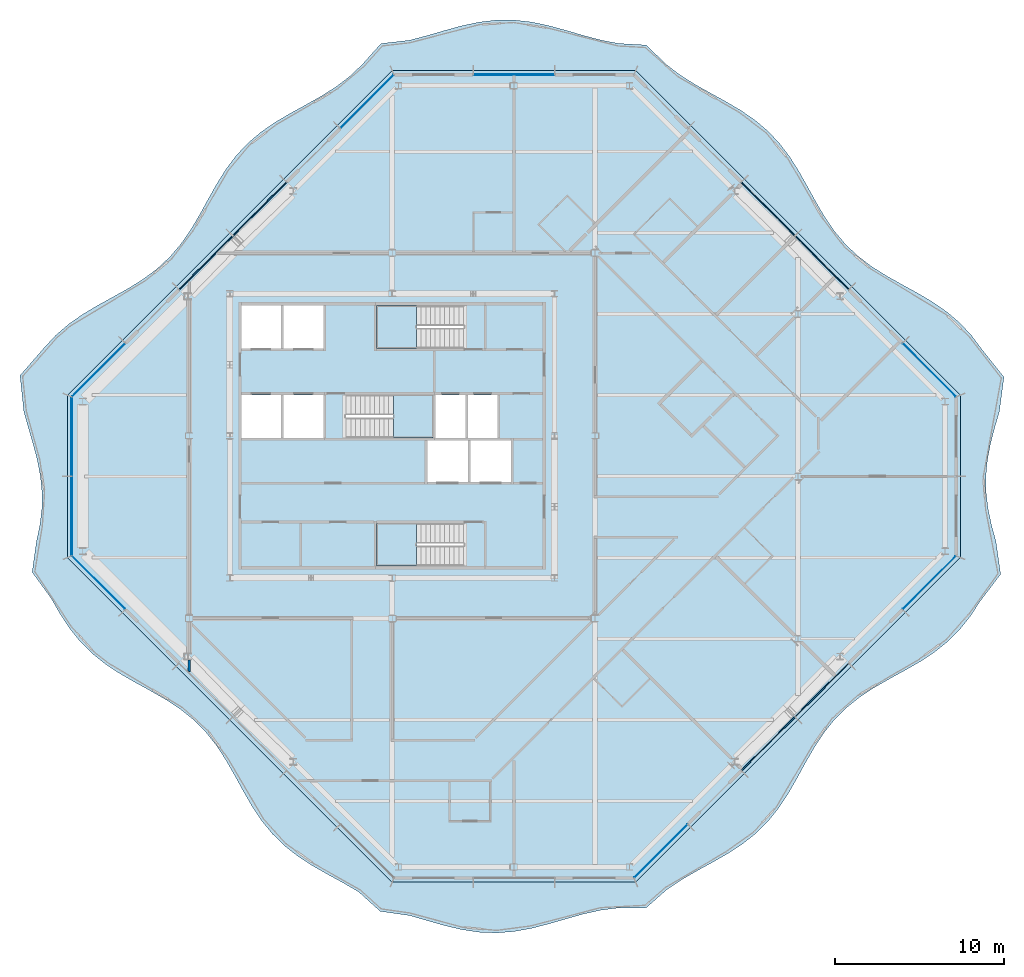
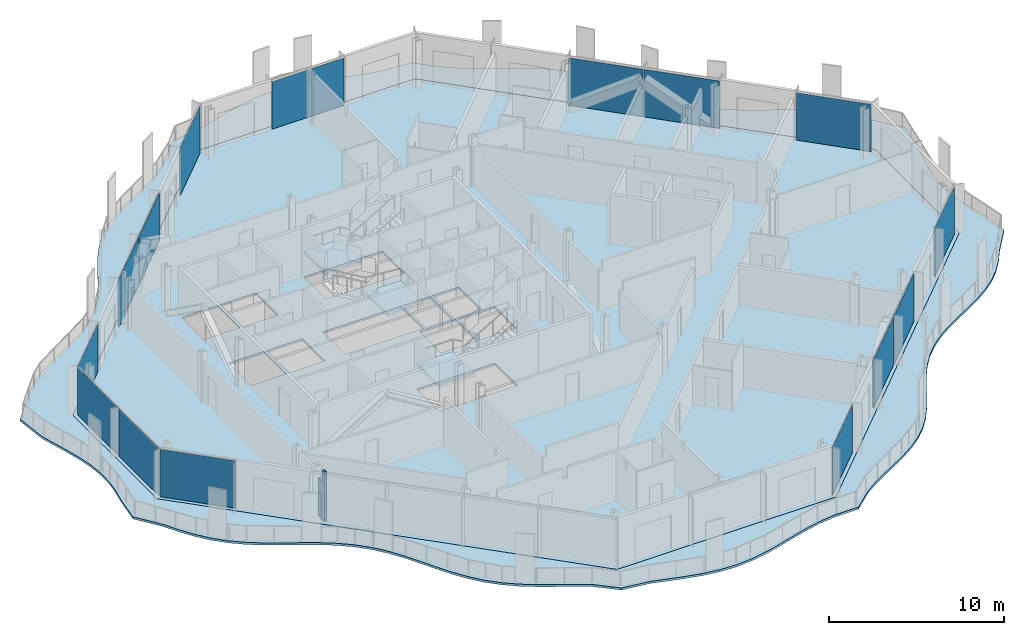
# One storey, part 6 of 16: 15 plates, 5 slabs, 1 wall, 9 elements without a shape of their own.
"""IFC4 building model written with IfcOpenShell, lengths in metres."""

from ifc_helpers import new_model, si_unit, direction, frame, origin, origin_2d, place, context, subcontext, project, spatial, polyline, rectangle, outline, extrude, material, layer, layer_set, type_object, element, aggregate, save


model = new_model("IFC4")

# Units and contexts
model_context = context("Model", 3, precision=1e-05, world=origin(), true_north=direction((0.0, 1.0)))
body_context = subcontext(model_context, "Body", "Model", "MODEL_VIEW")
ifc_project = project(units=[si_unit("LENGTHUNIT", "METRE"), si_unit("AREAUNIT", "SQUARE_METRE"), si_unit("VOLUMEUNIT", "CUBIC_METRE"), si_unit("PLANEANGLEUNIT", "RADIAN"), si_unit("MASSUNIT", "GRAM", prefix="KILO")], contexts=[model_context])

# Site, building, storey
site_placement = place(None, origin())
site = spatial("IfcSite", under=ifc_project, at=site_placement, CompositionType="ELEMENT")
building_placement = place(site_placement, origin())
building = spatial("IfcBuilding", under=site, at=building_placement, Name="Cairn Pilgrim Tower", CompositionType="ELEMENT")
storey_placement = place(building_placement, frame((0.0, 0.0, 277.800048828125)))
storey = spatial("IfcBuildingStorey", under=building, at=storey_placement, Name="L71", CompositionType="ELEMENT", Elevation=277.800048828125)

# Slabs
ifc_material_1 = material(Name="Concrete C35/45", Category="concrete")
ifc_layer_1 = layer(ifc_material_1, 0.14990234375)
ifc_layer_set_1 = layer_set([ifc_layer_1], Name="BALCONY SLAB 150 CONCRETE C35/45")
slab_type_1 = type_object("IfcSlabType", Name="BALCONY SLAB 150 CONCRETE C35/45", PredefinedType="FLOOR", material=ifc_layer_set_1)
slab_1_placement = place(storey_placement, frame((0.0, 0.0, -0.150146484375)))
element("IfcSlab", 1, at=slab_1_placement, inside=storey, type_object=slab_type_1, Name="Balcony slab BS-1", PredefinedType="FLOOR", context=body_context, shape_type="SweptSolid", body=[
    extrude(outline(polyline([(5.210693359375, -24.567138671875), (6.48779296875, -25.7197265625), (8.228515625, -25.970703125), (9.257080078125, -26.266845703125), (10.28564453125, -26.56005859375), (11.314208984375, -26.8037109375), (12.3427734375, -26.9580078125), (13.371337890625, -26.998291015625), (14.39990234375, -26.918212890625), (15.428466796875, -26.730712890625), (16.45703125, -26.4658203125), (17.485595703125, -26.166015625), (18.514404296875, -25.8798828125), (19.54296875, -25.6533203125), (20.571533203125, -25.522705078125), (22.22509765625, -25.50927734375), (23.450439453125, -24.42822265625), (24.303466796875, -23.85888671875), (25.203857421875, -23.33740234375), (26.123046875, -22.834228515625), (27.028564453125, -22.317626953125), (27.890869140625, -21.757568359375), (28.686279296875, -21.130859375), (29.402099609375, -20.42431640625), (30.03759765625, -19.637451171875), (30.604248046875, -18.781982421875), (31.124267578125, -17.8798828125), (31.62744140625, -16.960693359375), (32.145263671875, -16.056396484375), (32.7080078125, -15.19677734375), (33.338134765625, -14.40478515625), (34.04833984375, -13.692626953125), (34.83837890625, -13.060791015625), (35.69677734375, -12.49658203125), (36.60009765625, -11.97802734375), (37.519287109375, -11.474853515625), (38.422119140625, -10.95556640625), (39.279296875, -10.390380859375), (40.06787109375, -9.7568359375), (40.7763671875, -9.04296875), (41.40478515625, -8.249267578125), (41.96630859375, -7.388427734375), (43.180908203125, -5.7861328125), (42.89990234375, -3.840087890625), (42.639892578125, -2.8798828125), (42.4375, -1.919921875), (42.3212890625, -0.9599609375), (42.30712890625, 0.0), (42.3974609375, 0.9599609375), (42.579345703125, 1.919921875), (42.827392578125, 2.8798828125), (43.106689453125, 3.840087890625), (43.378173828125, 5.867919921875), (42.077392578125, 7.499755859375), (41.470703125, 8.315185546875), (40.786865234375, 9.053466796875), (40.021484375, 9.710205078125), (39.182861328125, 10.2939453125), (38.290771484375, 10.82421875), (37.373046875, 11.32861328125), (36.461669921875, 11.83935546875), (35.587158203125, 12.38720703125), (34.77490234375, 12.9970703125), (34.040283203125, 13.684814453125), (33.38720703125, 14.453857421875), (32.806396484375, 15.295166015625), (32.27783203125, 16.18896484375), (31.773681640625, 17.107177734375), (31.261962890625, 18.017578125), (30.7119140625, 18.8896484375), (30.098876953125, 19.69873046875), (29.407470703125, 20.4296875), (28.634765625, 21.079345703125), (27.79052734375, 21.6572265625), (26.89501953125, 22.183837890625), (25.9765625, 22.687744140625), (25.067138671875, 23.20068359375), (24.197509765625, 23.7529296875), (23.3916015625, 24.369384765625), (22.2236328125, 25.50537109375), (20.571533203125, 25.6005859375), (19.54296875, 25.80029296875), (18.514404296875, 26.072509765625), (17.485595703125, 26.373046875), (16.45703125, 26.654052734375), (15.428466796875, 26.869873046875), (14.39990234375, 26.98583984375), (13.371337890625, 26.983642578125), (12.3427734375, 26.863037109375), (11.314208984375, 26.64404296875), (10.28564453125, 26.361572265625), (9.257080078125, 26.06103515625), (8.228515625, 25.791015625), (6.539306640625, 25.5947265625), (5.4248046875, 24.35302734375), (4.6962890625, 23.659423828125), (3.88916015625, 23.044189453125), (3.0185546875, 22.49267578125), (2.108642578125, 21.980224609375), (1.1904296875, 21.476318359375), (0.29541015625, 20.948974609375), (-0.547607421875, 20.369873046875), (-1.31884765625, 19.718994140625), (-2.0087890625, 18.986572265625), (-2.620849609375, 18.17626953125), (-3.169921875, 17.30322265625), (-3.681396484375, 16.392333984375), (-4.185546875, 15.474609375), (-4.714599609375, 14.581298828125), (-5.296630859375, 13.740966796875), (-5.951171875, 12.973388671875), (-6.68701171875, 12.287109375), (-7.500732421875, 11.678466796875), (-8.3759765625, 11.131591796875), (-9.287841796875, 10.62109375), (-10.205322265625, 10.116455078125), (-11.0966796875, 9.58544921875), (-11.93408203125, 9.000732421875), (-12.6982421875, 8.342529296875), (-13.380615234375, 7.60302734375), (-14.808837890625, 5.96337890625), (-14.585693359375, 3.840087890625), (-14.315185546875, 2.8798828125), (-14.035400390625, 1.919921875), (-13.785888671875, 0.9599609375), (-13.6015625, 0.0), (-13.50830078125, -0.9599609375), (-13.519287109375, -1.919921875), (-13.6328125, -2.8798828125), (-13.8330078125, -3.840087890625), (-14.091796875, -5.66650390625), (-12.97607421875, -7.1982421875), (-12.458251953125, -8.1025390625), (-11.895751953125, -8.96240234375), (-11.265869140625, -9.7548828125), (-10.55615234375, -10.46728515625), (-9.76611328125, -11.099365234375), (-8.908203125, -11.66357421875), (-8.004638671875, -12.1826171875), (-7.08544921875, -12.685546875), (-6.1826171875, -13.204833984375), (-5.325439453125, -13.769775390625), (-4.536376953125, -14.403076171875), (-3.827880859375, -15.11669921875), (-3.198974609375, -15.91015625), (-2.63720703125, -16.7705078125), (-2.119873046875, -17.67529296875), (-1.61669921875, -18.594482421875), (-1.095947265625, -19.49609375), (-0.5283203125, -20.3505859375), (0.1083984375, -21.135986328125), (0.82568359375, -21.841064453125), (1.622314453125, -22.466552734375), (2.485595703125, -23.025634765625), (3.3916015625, -23.541748046875), (4.310546875, -24.044921875), (5.210693359375, -24.567138671875)]), holes=[polyline([(21.60009765625, -24.0), (7.199951171875, -24.0), (-12.0, -4.800048828125), (-12.0, 4.800048828125), (7.199951171875, 24.0), (21.60009765625, 24.0), (40.800048828125, 4.800048828125), (40.800048828125, -4.800048828125), (21.60009765625, -24.0)])]), origin(), (0.0, 0.0, 1.0), 0.150146484375),
])
ifc_layer_2 = layer(ifc_material_1, 0.14990234375)
ifc_layer_set_2 = layer_set([ifc_layer_2], Name="COMPOSITE FLOOR SLAB 150")
slab_type_2 = type_object("IfcSlabType", Name="COMPOSITE FLOOR SLAB 150", PredefinedType="FLOOR", material=ifc_layer_set_2)
slab_2_placement = place(storey_placement, frame((0.0, 0.0, -0.150146484375)))
element("IfcSlab", 2, at=slab_2_placement, inside=storey, type_object=slab_type_2, Name="FLOOR SLAB L71", PredefinedType="FLOOR", context=body_context, shape_type="SweptSolid", body=[
    extrude(outline(polyline([(7.199951171875, -24.0), (21.60009765625, -24.0), (40.800048828125, -4.800048828125), (40.800048828125, 4.800048828125), (21.60009765625, 24.0), (7.199951171875, 24.0), (-12.0, 4.800048828125), (-12.0, -4.800048828125), (7.199951171875, -24.0)]), holes=[polyline([(9.27490234375, -0.324951171875), (11.675048828125, -0.324951171875), (11.675048828125, 2.125), (9.27490234375, 2.125), (9.27490234375, -0.324951171875)]), polyline([(11.824951171875, -0.324951171875), (14.22509765625, -0.324951171875), (14.22509765625, 2.125), (11.824951171875, 2.125), (11.824951171875, -0.324951171875)]), polyline([(-1.72509765625, 2.27490234375), (0.625, 2.27490234375), (0.625, 4.824951171875), (-1.72509765625, 4.824951171875), (-1.72509765625, 2.27490234375)]), polyline([(0.77490234375, 2.27490234375), (3.125, 2.27490234375), (3.125, 4.824951171875), (0.77490234375, 4.824951171875), (0.77490234375, 2.27490234375)]), polyline([(-1.72509765625, 7.574951171875), (0.625, 7.574951171875), (0.625, 10.10009765625), (-1.72509765625, 10.10009765625), (-1.72509765625, 7.574951171875)]), polyline([(0.77490234375, 7.574951171875), (3.125, 7.574951171875), (3.125, 10.10009765625), (0.77490234375, 10.10009765625), (0.77490234375, 7.574951171875)]), polyline([(9.77490234375, 2.27490234375), (11.52490234375, 2.27490234375), (11.52490234375, 4.824951171875), (9.77490234375, 4.824951171875), (9.77490234375, 2.27490234375)]), polyline([(11.675048828125, 2.27490234375), (13.425048828125, 2.27490234375), (13.425048828125, 4.824951171875), (11.675048828125, 4.824951171875), (11.675048828125, 2.27490234375)]), polyline([(11.424560546875, -2.77490234375), (6.27490234375, -2.77490234375), (6.27490234375, -5.300048828125), (11.424560546875, -5.300048828125), (11.424560546875, -2.77490234375)]), polyline([(4.4755859375, 2.27490234375), (9.625, 2.27490234375), (9.625, 4.824951171875), (4.4755859375, 4.824951171875), (4.4755859375, 2.27490234375)]), polyline([(11.424560546875, 10.10009765625), (6.27490234375, 10.10009765625), (6.27490234375, 7.574951171875), (11.424560546875, 7.574951171875), (11.424560546875, 10.10009765625)])]), origin(), (0.0, 0.0, 1.0), 0.150146484375),
])

# Curtain wall, plates
ifc_material_2 = material(Name="Aluminium alloy 6063-T6 bronze anodised with Bronze tinted laminated low-E glass 8+16+8.8", Category="aluminium")
curtain_wall_type = type_object("IfcCurtainWallType", Name="CROWN CURTAIN WALL", PredefinedType="NOTDEFINED", material=ifc_material_2)
curtain_wall_1_placement = place(storey_placement, origin())
curtain_wall_1 = element("IfcCurtainWall", 3, at=curtain_wall_1_placement, inside=storey, type_object=curtain_wall_type, Name="Crown Curtain Wall SE", PredefinedType="NOTDEFINED")
ifc_material_3 = material(Name="Bronze anodised aluminium spandrel panel with mineral wool insulation", Category="aluminium")
ifc_layer_3 = layer(ifc_material_3, 0.06005859375)
ifc_layer_set_3 = layer_set([ifc_layer_3], Name="SPANDREL PANEL 4431x3300")
plate_type_1 = type_object("IfcPlateType", Name="SPANDREL PANEL 4431x3300", PredefinedType="CURTAIN_PANEL", material=ifc_layer_set_3)
plate_1_placement = place(storey_placement, frame((29.435546875, -15.81103515625, 0.0), z_axis=(0.0, 0.0, 1.0), x_axis=(0.707106781187, 0.707106781187, 0.0)))
plate_1 = element("IfcPlate", 4, at=plate_1_placement, type_object=plate_type_1, Name="Spandrel Panel SE3-1", PredefinedType="CURTAIN_PANEL", context=body_context, shape_type="SweptSolid", body=[
    extrude(rectangle(XDim=4.430908203125, YDim=0.06005859375, at=origin_2d()), origin(), (0.0, 0.0, 1.0), 3.300048828125),
])
plate_2_placement = place(storey_placement, frame((32.611083984375, -12.635498046875, 0.0), z_axis=(0.0, 0.0, 1.0), x_axis=(0.707106781187, 0.707106781187, 0.0)))
plate_2 = element("IfcPlate", 5, at=plate_2_placement, type_object=plate_type_1, Name="Spandrel Panel SE4-1", PredefinedType="CURTAIN_PANEL", context=body_context, shape_type="SweptSolid", body=[
    extrude(rectangle(XDim=4.430908203125, YDim=0.06005859375, at=origin_2d()), origin(), (0.0, 0.0, 1.0), 3.300048828125),
])

curtain_wall_2_placement = place(storey_placement, origin())
curtain_wall_2 = element("IfcCurtainWall", 6, at=curtain_wall_2_placement, inside=storey, type_object=curtain_wall_type, Name="Crown Curtain Wall NE", PredefinedType="NOTDEFINED")
plate_3_placement = place(storey_placement, frame((32.611083984375, 12.635498046875, 0.0), z_axis=(0.0, 0.0, 1.0), x_axis=(-0.707106781187, 0.707106781187, 0.0)))
plate_3 = element("IfcPlate", 7, at=plate_3_placement, type_object=plate_type_1, Name="Spandrel Panel NE3-1", PredefinedType="CURTAIN_PANEL", context=body_context, shape_type="SweptSolid", body=[
    extrude(rectangle(XDim=4.430908203125, YDim=0.06005859375, at=origin_2d()), origin(), (0.0, 0.0, 1.0), 3.300048828125),
])
plate_4_placement = place(storey_placement, frame((29.435546875, 15.81103515625, 0.0), z_axis=(0.0, 0.0, 1.0), x_axis=(-0.707106781187, 0.707106781187, 0.0)))
plate_4 = element("IfcPlate", 8, at=plate_4_placement, type_object=plate_type_1, Name="Spandrel Panel NE4-1", PredefinedType="CURTAIN_PANEL", context=body_context, shape_type="SweptSolid", body=[
    extrude(rectangle(XDim=4.430908203125, YDim=0.06005859375, at=origin_2d()), origin(), (0.0, 0.0, 1.0), 3.300048828125),
])

curtain_wall_3_placement = place(storey_placement, origin())
curtain_wall_3 = element("IfcCurtainWall", 9, at=curtain_wall_3_placement, inside=storey, type_object=curtain_wall_type, Name="Crown Curtain Wall NW", PredefinedType="NOTDEFINED")
plate_5_placement = place(storey_placement, frame((-0.635498046875, 15.81103515625, 0.0), z_axis=(0.0, 0.0, 1.0), x_axis=(-0.707106781187, -0.707106781187, 0.0)))
plate_5 = element("IfcPlate", 10, at=plate_5_placement, type_object=plate_type_1, Name="Spandrel Panel NW3-1", PredefinedType="CURTAIN_PANEL", context=body_context, shape_type="SweptSolid", body=[
    extrude(rectangle(XDim=4.430908203125, YDim=0.06005859375, at=origin_2d()), origin(), (0.0, 0.0, 1.0), 3.300048828125),
])
plate_6_placement = place(storey_placement, frame((-3.81103515625, 12.635498046875, 0.0), z_axis=(0.0, 0.0, 1.0), x_axis=(-0.707106781187, -0.707106781187, 0.0)))
plate_6 = element("IfcPlate", 11, at=plate_6_placement, type_object=plate_type_1, Name="Spandrel Panel NW4-1", PredefinedType="CURTAIN_PANEL", context=body_context, shape_type="SweptSolid", body=[
    extrude(rectangle(XDim=4.430908203125, YDim=0.06005859375, at=origin_2d()), origin(), (0.0, 0.0, 1.0), 3.300048828125),
])

# Stair, slab
ifc_material_4 = material(Name="Concrete C32/40", Category="concrete")
stair_type = type_object("IfcStairType", Name="EXIT STAIR 1200", PredefinedType="HALF_TURN_STAIR", material=ifc_material_4)
stair_1_placement = place(storey_placement, origin())
stair_1 = element("IfcStair", 12, at=stair_1_placement, inside=storey, type_object=stair_type, Name="L71 Exit Stair A", PredefinedType="HALF_TURN_STAIR")
ifc_layer_4 = layer(ifc_material_4, 0.199951171875)
ifc_layer_set_4 = layer_set([ifc_layer_4], Name="STAIR LANDING 200")
slab_type_3 = type_object("IfcSlabType", Name="STAIR LANDING 200", PredefinedType="LANDING", material=ifc_layer_set_4)
slab_3_placement = place(storey_placement, frame((0.0, 0.0, 1.599853515625)))
slab_3 = element("IfcSlab", 13, at=slab_3_placement, type_object=slab_type_3, Name="ST-A landing 1", PredefinedType="LANDING", context=body_context, shape_type="SweptSolid", body=[
    extrude(outline(polyline([(8.625, -2.77490234375), (6.27490234375, -2.77490234375), (6.27490234375, -5.300048828125), (8.625, -5.300048828125), (8.625, -2.77490234375)])), origin(), (0.0, 0.0, 1.0), 0.2001953125),
])
aggregate(stair_1, [slab_3])

stair_2_placement = place(storey_placement, origin())
stair_2 = element("IfcStair", 14, at=stair_2_placement, inside=storey, type_object=stair_type, Name="L71 Exit Stair B", PredefinedType="HALF_TURN_STAIR")
slab_4_placement = place(storey_placement, frame((0.0, 0.0, 1.599853515625)))
slab_4 = element("IfcSlab", 15, at=slab_4_placement, type_object=slab_type_3, Name="ST-B landing 1", PredefinedType="LANDING", context=body_context, shape_type="SweptSolid", body=[
    extrude(outline(polyline([(7.27490234375, 2.27490234375), (9.625, 2.27490234375), (9.625, 4.824951171875), (7.27490234375, 4.824951171875), (7.27490234375, 2.27490234375)])), origin(), (0.0, 0.0, 1.0), 0.2001953125),
])
aggregate(stair_2, [slab_4])

stair_3_placement = place(storey_placement, origin())
stair_3 = element("IfcStair", 16, at=stair_3_placement, inside=storey, type_object=stair_type, Name="L71 Exit Stair C", PredefinedType="HALF_TURN_STAIR")
slab_5_placement = place(storey_placement, frame((0.0, 0.0, 1.599853515625)))
slab_5 = element("IfcSlab", 17, at=slab_5_placement, type_object=slab_type_3, Name="ST-C landing 1", PredefinedType="LANDING", context=body_context, shape_type="SweptSolid", body=[
    extrude(outline(polyline([(8.625, 10.10009765625), (6.27490234375, 10.10009765625), (6.27490234375, 7.574951171875), (8.625, 7.574951171875), (8.625, 10.10009765625)])), origin(), (0.0, 0.0, 1.0), 0.2001953125),
])
aggregate(stair_3, [slab_5])

# Plate
ifc_material_5 = material(Name="Bronze tinted laminated low-E glass 8+16+8.8", Category="glass")
ifc_layer_5 = layer(ifc_material_5, 0.033935546875)
ifc_layer_set_5 = layer_set([ifc_layer_5], Name="VISION GLAZING 4421x3300")
plate_type_2 = type_object("IfcPlateType", Name="VISION GLAZING 4421x3300", PredefinedType="CURTAIN_PANEL", material=ifc_layer_set_5)
plate_7_placement = place(storey_placement, frame((23.087890625, -22.15869140625, 0.0), z_axis=(0.0, 0.0, 1.0), x_axis=(0.707106781187, 0.707106781187, 0.0)))
plate_7 = element("IfcPlate", 18, at=plate_7_placement, type_object=plate_type_2, Name="Vision Glazing SE1-1", PredefinedType="CURTAIN_PANEL", context=body_context, shape_type="SweptSolid", body=[
    extrude(rectangle(XDim=4.4208984375, YDim=0.033935546875, at=origin_2d()), origin(), (0.0, 0.0, 1.0), 3.300048828125),
])

plate_8_placement = place(storey_placement, frame((38.958740234375, -6.287841796875, 0.0), z_axis=(0.0, 0.0, 1.0), x_axis=(0.707106781187, 0.707106781187, 0.0)))
plate_8 = element("IfcPlate", 19, at=plate_8_placement, type_object=plate_type_2, Name="Vision Glazing SE6-1", PredefinedType="CURTAIN_PANEL", context=body_context, shape_type="SweptSolid", body=[
    extrude(rectangle(XDim=4.4208984375, YDim=0.033935546875, at=origin_2d()), origin(), (0.0, 0.0, 1.0), 3.300048828125),
])

aggregate(curtain_wall_1, [plate_7, plate_1, plate_2, plate_8])

plate_9_placement = place(storey_placement, frame((38.958740234375, 6.287841796875, 0.0), z_axis=(0.0, 0.0, 1.0), x_axis=(-0.707106781187, 0.707106781187, 0.0)))
plate_9 = element("IfcPlate", 20, at=plate_9_placement, type_object=plate_type_2, Name="Vision Glazing NE1-1", PredefinedType="CURTAIN_PANEL", context=body_context, shape_type="SweptSolid", body=[
    extrude(rectangle(XDim=4.4208984375, YDim=0.033935546875, at=origin_2d()), origin(), (0.0, 0.0, 1.0), 3.300048828125),
])

aggregate(curtain_wall_2, [plate_9, plate_3, plate_4])

plate_10_placement = place(storey_placement, frame((5.712158203125, 22.15869140625, 0.0), z_axis=(0.0, 0.0, 1.0), x_axis=(-0.707106781187, -0.707106781187, 0.0)))
plate_10 = element("IfcPlate", 21, at=plate_10_placement, type_object=plate_type_2, Name="Vision Glazing NW1-1", PredefinedType="CURTAIN_PANEL", context=body_context, shape_type="SweptSolid", body=[
    extrude(rectangle(XDim=4.4208984375, YDim=0.033935546875, at=origin_2d()), origin(), (0.0, 0.0, 1.0), 3.300048828125),
])

plate_11_placement = place(storey_placement, frame((-10.15869140625, 6.287841796875, 0.0), z_axis=(0.0, 0.0, 1.0), x_axis=(-0.707106781187, -0.707106781187, 0.0)))
plate_11 = element("IfcPlate", 22, at=plate_11_placement, type_object=plate_type_2, Name="Vision Glazing NW6-1", PredefinedType="CURTAIN_PANEL", context=body_context, shape_type="SweptSolid", body=[
    extrude(rectangle(XDim=4.4208984375, YDim=0.033935546875, at=origin_2d()), origin(), (0.0, 0.0, 1.0), 3.300048828125),
])

aggregate(curtain_wall_3, [plate_10, plate_5, plate_6, plate_11])

# Curtain wall, plate
curtain_wall_4_placement = place(storey_placement, origin())
curtain_wall_4 = element("IfcCurtainWall", 23, at=curtain_wall_4_placement, inside=storey, type_object=curtain_wall_type, Name="Crown Curtain Wall SW", PredefinedType="NOTDEFINED")
plate_12_placement = place(storey_placement, frame((-10.15869140625, -6.287841796875, 0.0), z_axis=(0.0, 0.0, 1.0), x_axis=(0.707106781187, -0.707106781187, 0.0)))
plate_12 = element("IfcPlate", 24, at=plate_12_placement, type_object=plate_type_2, Name="Vision Glazing SW1-1", PredefinedType="CURTAIN_PANEL", context=body_context, shape_type="SweptSolid", body=[
    extrude(rectangle(XDim=4.4208984375, YDim=0.033935546875, at=origin_2d()), origin(), (0.0, 0.0, 1.0), 3.300048828125),
])
aggregate(curtain_wall_4, [plate_12])

# Curtain wall, plates
curtain_wall_5_placement = place(storey_placement, origin())
curtain_wall_5 = element("IfcCurtainWall", 25, at=curtain_wall_5_placement, inside=storey, type_object=curtain_wall_type, Name="Crown Curtain Wall W", PredefinedType="NOTDEFINED")
ifc_layer_6 = layer(ifc_material_5, 0.033935546875)
ifc_layer_set_6 = layer_set([ifc_layer_6], Name="VISION GLAZING 4626x3300")
plate_type_3 = type_object("IfcPlateType", Name="VISION GLAZING 4626x3300", PredefinedType="CURTAIN_PANEL", material=ifc_layer_set_6)
plate_13_placement = place(storey_placement, frame((-11.75, 2.34326171875, 0.0), z_axis=(0.0, 0.0, 1.0), x_axis=(0.0, -1.0, 0.0)))
plate_13 = element("IfcPlate", 26, at=plate_13_placement, type_object=plate_type_3, Name="Vision Glazing W1-1", PredefinedType="CURTAIN_PANEL", context=body_context, shape_type="SweptSolid", body=[
    extrude(rectangle(XDim=4.62646484375, YDim=0.033935546875, at=origin_2d()), origin(), (0.0, 0.0, 1.0), 3.300048828125),
])
plate_14_placement = place(storey_placement, frame((-11.75, -2.34326171875, 0.0), z_axis=(0.0, 0.0, 1.0), x_axis=(0.0, -1.0, 0.0)))
plate_14 = element("IfcPlate", 27, at=plate_14_placement, type_object=plate_type_3, Name="Vision Glazing W2-1", PredefinedType="CURTAIN_PANEL", context=body_context, shape_type="SweptSolid", body=[
    extrude(rectangle(XDim=4.62646484375, YDim=0.033935546875, at=origin_2d()), origin(), (0.0, 0.0, 1.0), 3.300048828125),
])
aggregate(curtain_wall_5, [plate_13, plate_14])

# Curtain wall, plate
curtain_wall_6_placement = place(storey_placement, origin())
curtain_wall_6 = element("IfcCurtainWall", 28, at=curtain_wall_6_placement, inside=storey, type_object=curtain_wall_type, Name="Crown Curtain Wall N", PredefinedType="NOTDEFINED")
ifc_layer_7 = layer(ifc_material_5, 0.033935546875)
ifc_layer_set_7 = layer_set([ifc_layer_7], Name="VISION GLAZING 4740x3300")
plate_type_4 = type_object("IfcPlateType", Name="VISION GLAZING 4740x3300", PredefinedType="CURTAIN_PANEL", material=ifc_layer_set_7)
plate_15_placement = place(storey_placement, frame((14.39990234375, 23.75, 0.0), z_axis=(0.0, 0.0, 1.0), x_axis=(-1.0, 0.0, 0.0)))
plate_15 = element("IfcPlate", 29, at=plate_15_placement, type_object=plate_type_4, Name="Vision Glazing N2-1", PredefinedType="CURTAIN_PANEL", context=body_context, shape_type="SweptSolid", body=[
    extrude(rectangle(XDim=4.739990234375, YDim=0.033935546875, at=origin_2d()), origin(), (0.0, 0.0, 1.0), 3.300048828125),
])
aggregate(curtain_wall_6, [plate_15])

# Wall
ifc_material_6 = material(Name="Gypsum partition")
ifc_layer_8 = layer(ifc_material_6, 0.14990234375)
ifc_layer_set_8 = layer_set([ifc_layer_8], Name="PARTITION 150 DRYWALL EI 60")
wall_type = type_object("IfcWallType", Name="PARTITION 150 DRYWALL EI 60", PredefinedType="PARTITIONING", material=ifc_layer_set_8)
wall_placement = place(storey_placement, frame((-4.800048828125, -11.526123046875, 0.0), z_axis=(0.0, 0.0, 1.0), x_axis=(0.0, 1.0, 0.0)))
element("IfcWall", 30, at=wall_placement, inside=storey, type_object=wall_type, Name="PARTITION W019", PredefinedType="PARTITIONING", context=body_context, shape_type="SweptSolid", body=[
    extrude(outline(polyline([(0.0, 0.0), (0.67822265625, 0.0), (0.677978515625, 2.6298828125), (0.22900390625, 2.6298828125), (0.226806640625, 3.449951171875), (0.0, 3.449951171875), (0.0, 0.0)])), frame((0.0, 0.074951171875, 0.0), z_axis=(0.0, -1.0, 0.0), x_axis=(1.0, 0.0, 0.0)), (0.0, 0.0, 1.0), 0.14990234375),
])

save(model, "model.ifc")
